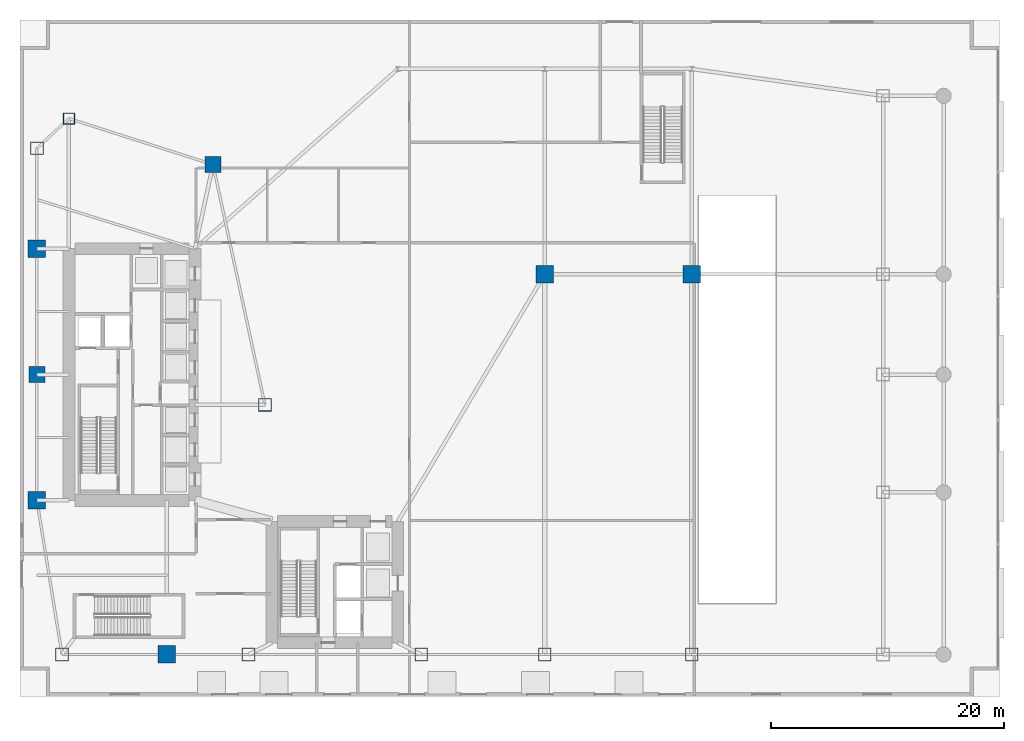
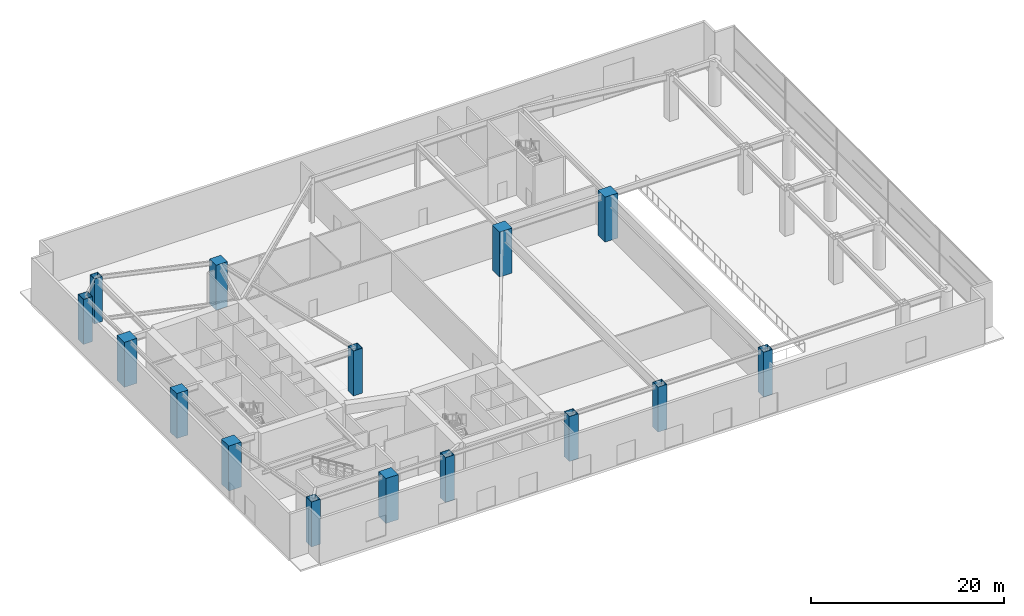
# One storey, part 1 of 20: 15 columns.
"""IFC4 building model written with IfcOpenShell, lengths in metres."""

from ifc_helpers import new_model, si_unit, direction, frame, origin, origin_2d, place, context, subcontext, project, spatial, rectangle, hollow_rectangle, extrude, material, material_profile, profile_set, type_object, element, save


model = new_model("IFC4")

# Units and contexts
model_context = context("Model", 3, precision=1e-05, world=origin(), true_north=direction((0.0, 1.0)))
body_context = subcontext(model_context, "Body", "Model", "MODEL_VIEW")
ifc_project = project(units=[si_unit("LENGTHUNIT", "METRE"), si_unit("AREAUNIT", "SQUARE_METRE"), si_unit("VOLUMEUNIT", "CUBIC_METRE"), si_unit("PLANEANGLEUNIT", "RADIAN"), si_unit("MASSUNIT", "GRAM", prefix="KILO")], contexts=[model_context])

# Site, building, storey
site_placement = place(None, origin())
site = spatial("IfcSite", under=ifc_project, at=site_placement, CompositionType="ELEMENT")
building_placement = place(site_placement, origin())
building = spatial("IfcBuilding", under=site, at=building_placement, Name="Calvorn Quay Hotel", CompositionType="ELEMENT")
storey_placement = place(building_placement, origin())
storey = spatial("IfcBuildingStorey", under=building, at=storey_placement, Name="L00", CompositionType="ELEMENT", Elevation=0.0)

# Columns
ifc_material_1 = material(Name="Concrete C60", Category="concrete")
ifc_material_profile_1 = material_profile(ifc_material_1, rectangle(XDim=1.35009765625, YDim=1.35009765625, at=origin_2d()), Name="RC1350x1350")
ifc_profile_set_1 = profile_set([ifc_material_profile_1], Name="Concrete C60")
column_type_1 = type_object("IfcColumnType", Name="COL-RC-1350", PredefinedType="COLUMN", material=ifc_profile_set_1)
for number, where, z_axis, x_axis, name in (
    (1, (1.449951171875, 27.60009765625, 0.0), (0.0, 0.0, 1.0), (1.0, 0.0, 0.0), "Column C-W3 (L00)"),
    (2, (16.550048828125, 45.60009765625, 0.0), (0.0, 0.0, 1.0), (1.0, 0.0, 0.0), "Column C-IC1 (L00)"),
):
    element("IfcColumn", number, at=place(storey_placement, frame(where, z_axis=z_axis, x_axis=x_axis)), inside=storey, type_object=column_type_1, Name=name, PredefinedType="COLUMN", context=body_context, shape_type="SweptSolid", body=[
        extrude(rectangle(XDim=1.35009765625, YDim=1.35009765625, at=origin_2d()), origin(), (0.0, 0.0, 1.0), 5.679931640625),
    ])
ifc_material_2 = material(Name="Concrete C60", Category="concrete")
ifc_material_profile_2 = material_profile(ifc_material_2, rectangle(XDim=1.5, YDim=1.5, at=origin_2d()), Name="RC1500x1500")
ifc_profile_set_2 = profile_set([ifc_material_profile_2], Name="Concrete C60")
column_type_2 = type_object("IfcColumnType", Name="COL-RC-1500", PredefinedType="COLUMN", material=ifc_profile_set_2)
for number, where, z_axis, x_axis, name in (
    (3, (1.449951171875, 16.800048828125, 0.0), (0.0, 0.0, 1.0), (1.0, 0.0, 0.0), "Column C-W2 (L00)"),
    (4, (1.449951171875, 38.39990234375, 0.0), (0.0, 0.0, 1.0), (1.0, 0.0, 0.0), "Column C-W4 (L00)"),
    (5, (12.60009765625, 3.60009765625, 0.0), (0.0, 0.0, 1.0), (1.0, 0.0, 0.0), "Column C-S1 (L00)"),
    (6, (45.0, 36.199951171875, 0.0), (0.0, 0.0, 1.0), (1.0, 0.0, 0.0), "Column C-PN1 (L00)"),
    (7, (57.60009765625, 36.199951171875, 0.0), (0.0, 0.0, 1.0), (1.0, 0.0, 0.0), "Column C-PN2 (L00)"),
):
    element("IfcColumn", number, at=place(storey_placement, frame(where, z_axis=z_axis, x_axis=x_axis)), inside=storey, type_object=column_type_2, Name=name, PredefinedType="COLUMN", context=body_context, shape_type="SweptSolid", body=[
        extrude(rectangle(XDim=1.5, YDim=1.5, at=origin_2d()), origin(), (0.0, 0.0, 1.0), 5.679931640625),
    ])
ifc_material_3 = material(Name="Steel Q420GJC", Category="steel")
ifc_material_profile_3 = material_profile(ifc_material_3, hollow_rectangle(XDim=1.10009765625, YDim=1.10009765625, WallThickness=0.044921875, at=origin_2d()), Name="BOX1100x1100x45")
ifc_profile_set_3 = profile_set([ifc_material_profile_3], Name="Steel Q420GJC")
column_type_3 = type_object("IfcColumnType", Name="COL-STL-MEGA1", PredefinedType="COLUMN", material=ifc_profile_set_3)
for number, where, z_axis, x_axis, name in (
    (8, (3.60009765625, 3.60009765625, 0.0), (0.0, 0.0, 1.0), (1.0, 0.0, 0.0), "Column C-W1 (L00)"),
    (9, (1.449951171875, 47.0, 0.0), (0.0, 0.0, 1.0), (1.0, 0.0, 0.0), "Column C-W5 (L00)"),
    (10, (21.0, 25.0, 0.0), (0.0, 0.0, 1.0), (1.0, 0.0, 0.0), "Column C-IC2 (L00)"),
    (11, (19.60009765625, 3.60009765625, 0.0), (0.0, 0.0, 1.0), (1.0, 0.0, 0.0), "Column C-S2 (L00)"),
    (12, (34.39990234375, 3.60009765625, 0.0), (0.0, 0.0, 1.0), (1.0, 0.0, 0.0), "Column C-S3 (L00)"),
    (13, (45.0, 3.60009765625, 0.0), (0.0, 0.0, 1.0), (1.0, 0.0, 0.0), "Column C-PS4 (L00)"),
    (14, (57.60009765625, 3.60009765625, 0.0), (0.0, 0.0, 1.0), (1.0, 0.0, 0.0), "Column C-PS5 (L00)"),
):
    element("IfcColumn", number, at=place(storey_placement, frame(where, z_axis=z_axis, x_axis=x_axis)), inside=storey, type_object=column_type_3, Name=name, PredefinedType="COLUMN", context=body_context, shape_type="SweptSolid", body=[
        extrude(hollow_rectangle(XDim=1.10009765625, YDim=1.10009765625, WallThickness=0.044921875, at=origin_2d()), origin(), (0.0, 0.0, 1.0), 5.679931640625),
    ])
ifc_material_4 = material(Name="Steel Q420GJC", Category="steel")
ifc_material_profile_4 = material_profile(ifc_material_4, hollow_rectangle(XDim=0.949951171875, YDim=0.949951171875, WallThickness=0.0400390625, at=origin_2d()), Name="BOX950x950x40")
ifc_profile_set_4 = profile_set([ifc_material_profile_4], Name="Steel Q420GJC")
column_type_4 = type_object("IfcColumnType", Name="COL-STL-MEGA2", PredefinedType="COLUMN", material=ifc_profile_set_4)
column_placement = place(storey_placement, frame((4.199951171875, 49.550048828125, 0.0), z_axis=(0.0, 0.0, 1.0), x_axis=(1.0, 0.0, 0.0)))
element("IfcColumn", 15, at=column_placement, inside=storey, type_object=column_type_4, Name="Column C-NW1 (L00)", PredefinedType="COLUMN", context=body_context, shape_type="SweptSolid", body=[
    extrude(hollow_rectangle(XDim=0.949951171875, YDim=0.949951171875, WallThickness=0.0400390625, at=origin_2d()), origin(), (0.0, 0.0, 1.0), 5.679931640625),
])

save(model, "model.ifc")
